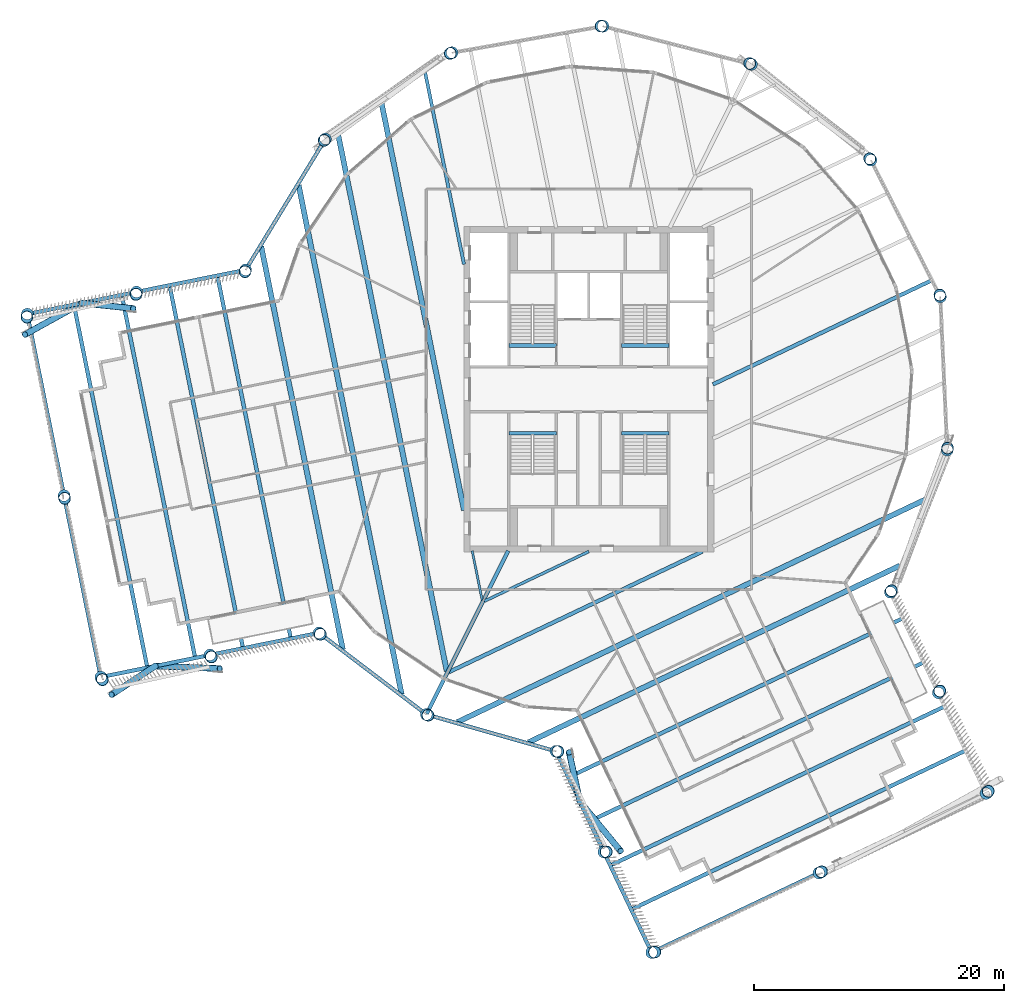
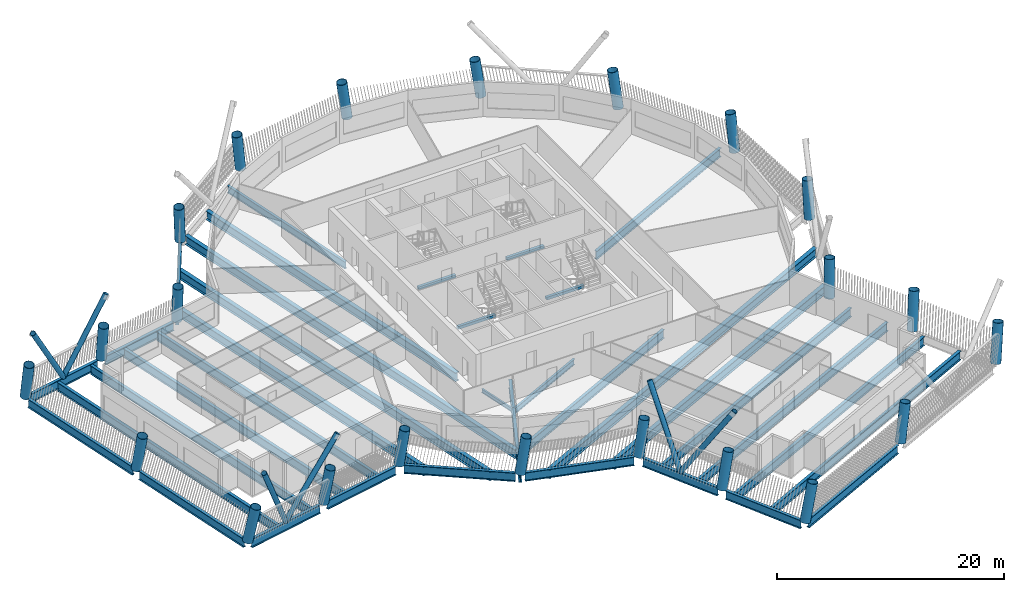
# One storey, part 1 of 21: 36 beams, 22 columns, 6 members.
"""IFC4 building model written with IfcOpenShell, lengths in metres."""

from ifc_helpers import new_model, si_unit, direction, frame, origin, origin_2d, place, context, subcontext, project, spatial, rectangle, hollow_circle, i_section, extrude, material, material_profile, profile_set, type_object, element, save


model = new_model("IFC4")

# Units and contexts
model_context = context("Model", 3, precision=1e-05, world=origin(), true_north=direction((0.0, 1.0)))
body_context = subcontext(model_context, "Body", "Model", "MODEL_VIEW")
ifc_project = project(units=[si_unit("LENGTHUNIT", "METRE"), si_unit("AREAUNIT", "SQUARE_METRE"), si_unit("VOLUMEUNIT", "CUBIC_METRE"), si_unit("PLANEANGLEUNIT", "RADIAN"), si_unit("MASSUNIT", "GRAM", prefix="KILO")], contexts=[model_context])

# Site, building, storey
site_placement = place(None, origin())
site = spatial("IfcSite", under=ifc_project, at=site_placement, CompositionType="ELEMENT")
building_placement = place(site_placement, origin())
building = spatial("IfcBuilding", under=site, at=building_placement, Name="Tarsis Ring Headquarters", CompositionType="ELEMENT")
storey_placement = place(building_placement, frame((0.0, 0.0, 331.39990234375)))
storey = spatial("IfcBuildingStorey", under=building, at=storey_placement, Name="L78", CompositionType="ELEMENT", Elevation=331.39990234375)

# Columns
ifc_material_1 = material(Name="Structural steel S355", Category="steel")
ifc_material_profile_1 = material_profile(ifc_material_1, hollow_circle(Radius=0.482666015625, WallThickness=0.0400390625, at=origin_2d()), Name="CHS 965x40")
ifc_profile_set_1 = profile_set([ifc_material_profile_1], Name="Structural steel S355")
column_type = type_object("IfcColumnType", Name="XC Exo column CHS 965x40", PredefinedType="COLUMN", material=ifc_profile_set_1)
for number, where, z_axis, x_axis, name in (
    (1, (-12.988525390625, -25.98291015625, 0.001220703125), (0.120419446653, -0.058844141973, 0.990977559697), (0.439043996986, 0.898465563453, 0.0), "Exo column XC7 F1"),
    (2, (-2.62744140625, -28.929443359375, 0.001220703125), (0.133517777698, -0.010924746106, 0.990986202205), (0.081549879153, 0.996669261696, 0.0), "Exo column XC7 AK"),
):
    element("IfcColumn", number, at=place(storey_placement, frame(where, z_axis=z_axis, x_axis=x_axis)), inside=storey, type_object=column_type, Name=name, PredefinedType="COLUMN", context=body_context, shape_type="SweptSolid", body=[
        extrude(hollow_circle(Radius=0.482666015625, WallThickness=0.0400390625, at=origin_2d()), origin(), (0.0, 0.0, 1.0), 3.93310546875),
    ])
column_1_placement = place(storey_placement, frame((1.196533203125, -36.968505859375, 0.00146484375), z_axis=(0.169528498727, 0.007037963895, 0.985500154837), x_axis=(-0.041479201713, 0.999139367569, 0.0)))
element("IfcColumn", 3, at=column_1_placement, inside=storey, type_object=column_type, Name="Exo column XC7 AI1", PredefinedType="COLUMN", context=body_context, shape_type="SweptSolid", body=[
    extrude(hollow_circle(Radius=0.482666015625, WallThickness=0.0400390625, at=origin_2d()), origin(), (0.0, 0.0, 1.0), 3.95458984375),
])
column_2_placement = place(storey_placement, frame((5.020751953125, -45.007568359375, 0.001708984375), z_axis=(0.204760699599, 0.024767461868, 0.978498660568), x_axis=(-0.120082816366, 0.992763877875, 0.0)))
element("IfcColumn", 4, at=column_2_placement, inside=storey, type_object=column_type, Name="Exo column XC7 AT1", PredefinedType="COLUMN", context=body_context, shape_type="SweptSolid", body=[
    extrude(hollow_circle(Radius=0.482666015625, WallThickness=0.0400390625, at=origin_2d()), origin(), (0.0, 0.0, 1.0), 3.982421875),
])
column_3_placement = place(storey_placement, frame((18.3857421875, -38.64990234375, 0.00146484375), z_axis=(0.175650534528, 0.085521351544, 0.980730843886), x_axis=(-0.437754355439, 0.89909461365, 0.0)))
element("IfcColumn", 5, at=column_3_placement, inside=storey, type_object=column_type, Name="Exo column XC7 AT2", PredefinedType="COLUMN", context=body_context, shape_type="SweptSolid", body=[
    extrude(hollow_circle(Radius=0.482666015625, WallThickness=0.0400390625, at=origin_2d()), origin(), (0.0, 0.0, 1.0), 3.973876953125),
])
column_4_placement = place(storey_placement, frame((31.75048828125, -32.292236328125, 0.001708984375), z_axis=(0.145783281167, 0.145967196156, 0.978489045712), x_axis=(-0.70755238978, 0.706660891599, 0.0)))
element("IfcColumn", 6, at=column_4_placement, inside=storey, type_object=column_type, Name="Exo column XC7 AT3", PredefinedType="COLUMN", context=body_context, shape_type="SweptSolid", body=[
    extrude(hollow_circle(Radius=0.482666015625, WallThickness=0.0400390625, at=origin_2d()), origin(), (0.0, 0.0, 1.0), 3.982421875),
])
column_5_placement = place(storey_placement, frame((27.92626953125, -24.253173828125, 0.00146484375), z_axis=(0.110137662208, 0.129090724034, 0.985497478602), x_axis=(-0.76074412873, 0.649051901317, 0.0)))
element("IfcColumn", 7, at=column_5_placement, inside=storey, type_object=column_type, Name="Exo column XC7 AO1", PredefinedType="COLUMN", context=body_context, shape_type="SweptSolid", body=[
    extrude(hollow_circle(Radius=0.482666015625, WallThickness=0.0400390625, at=origin_2d()), origin(), (0.0, 0.0, 1.0), 3.95458984375),
])
for number, where, z_axis, x_axis, name in (
    (8, (24.102294921875, -16.214111328125, 0.001220703125), (0.073741926687, 0.111854336608, 0.990984730271), (-0.834890461462, 0.550416131086, 0.0), "Exo column XC7 AJ"),
    (9, (28.642822265625, -4.837890625, 0.001220703125), (0.021104664469, 0.132276588184, 0.990988141885), (-0.987509938525, 0.157556724119, 0.0), "Exo column XC7 R1"),
    (10, (28.090576171875, 7.3984375, 0.001220703125), (-0.035319159409, 0.129234604374, 0.990984850546), (-0.964624691712, -0.263627017091, 0.0), "Exo column XC7 R2"),
    (11, (22.543701171875, 18.3193359375, 0.001220703125), (-0.085411459189, 0.103226203947, 0.990983972352), (-0.770457092515, -0.637491857668, 0.0), "Exo column XC7 R3"),
    (12, (12.988525390625, 25.98291015625, 0.001220703125), (-0.120419446653, 0.058844141973, 0.990977559697), (-0.439043996986, -0.898465563453, 0.0), "Exo column XC7 R4"),
    (13, (1.123779296875, 29.02685546875, 0.001220703125), (-0.133890478417, 0.003972642846, 0.990988172431), (-0.029657787255, -0.999560111076, 0.0), "Exo column XC7 R5"),
    (14, (-10.940673828125, 26.909423828125, 0.001220703125), (-0.12364806075, -0.051582097632, 0.990984583269), (0.385010121959, -0.922912350112, 0.0), "Exo column XC7 R6"),
    (15, (-21.059814453125, 20.007568359375, 0.001220703125), (-0.091370763806, -0.09795045196, 0.990987937607), (0.731240159836, -0.682120098402, 0.0), "Exo column XC7 R7"),
    (16, (-27.434326171875, 9.548095703125, 0.001220703125), (-0.042891900083, -0.126937678249, 0.99098290134), (0.947378173122, -0.320116536737, 0.0), "Exo column XC7 BJ"),
):
    element("IfcColumn", number, at=place(storey_placement, frame(where, z_axis=z_axis, x_axis=x_axis)), inside=storey, type_object=column_type, Name=name, PredefinedType="COLUMN", context=body_context, shape_type="SweptSolid", body=[
        extrude(hollow_circle(Radius=0.482666015625, WallThickness=0.0400390625, at=origin_2d()), origin(), (0.0, 0.0, 1.0), 3.93310546875),
    ])
column_6_placement = place(storey_placement, frame((-36.159912109375, 7.782470703125, 0.00146484375), z_axis=(-0.034140353128, -0.166194992082, 0.985501730539), x_axis=(0.979545727272, -0.201221689146, 0.0)))
element("IfcColumn", 17, at=column_6_placement, inside=storey, type_object=column_type, Name="Exo column XC7 BO1", PredefinedType="COLUMN", context=body_context, shape_type="SweptSolid", body=[
    extrude(hollow_circle(Radius=0.482666015625, WallThickness=0.0400390625, at=origin_2d()), origin(), (0.0, 0.0, 1.0), 3.95458984375),
])
column_7_placement = place(storey_placement, frame((-44.88525390625, 6.0166015625, 0.001708984375), z_axis=(-0.025503297558, -0.204639440505, 0.978505125793), x_axis=(0.992323544776, -0.123668842009, 0.0)))
element("IfcColumn", 18, at=column_7_placement, inside=storey, type_object=column_type, Name="Exo column XC7 BT3", PredefinedType="COLUMN", context=body_context, shape_type="SweptSolid", body=[
    extrude(hollow_circle(Radius=0.482666015625, WallThickness=0.0400390625, at=origin_2d()), origin(), (0.0, 0.0, 1.0), 3.982421875),
])
column_8_placement = place(storey_placement, frame((-41.94970703125, -8.4892578125, 0.00146484375), z_axis=(0.04048739816, -0.191132466885, 0.980728887457), x_axis=(0.978292115916, 0.207230634648, 0.0)))
element("IfcColumn", 19, at=column_8_placement, inside=storey, type_object=column_type, Name="Exo column XC7 BT2", PredefinedType="COLUMN", context=body_context, shape_type="SweptSolid", body=[
    extrude(hollow_circle(Radius=0.482666015625, WallThickness=0.0400390625, at=origin_2d()), origin(), (0.0, 0.0, 1.0), 3.973876953125),
])
column_9_placement = place(storey_placement, frame((-39.01416015625, -22.995361328125, 0.001708984375), z_axis=(0.106365746798, -0.176683620907, 0.978503564639), x_axis=(0.856731327791, 0.51576296104, 0.0)))
element("IfcColumn", 20, at=column_9_placement, inside=storey, type_object=column_type, Name="Exo column XC7 BT1", PredefinedType="COLUMN", context=body_context, shape_type="SweptSolid", body=[
    extrude(hollow_circle(Radius=0.482666015625, WallThickness=0.0400390625, at=origin_2d()), origin(), (0.0, 0.0, 1.0), 3.982421875),
])
column_10_placement = place(storey_placement, frame((-30.288818359375, -21.2294921875, 0.00146484375), z_axis=(0.098655007434, -0.138042926548, 0.985500552987), x_axis=(0.813585935102, 0.581444688861, 0.0)))
element("IfcColumn", 21, at=column_10_placement, inside=storey, type_object=column_type, Name="Exo column XC7 BI1", PredefinedType="COLUMN", context=body_context, shape_type="SweptSolid", body=[
    extrude(hollow_circle(Radius=0.482666015625, WallThickness=0.0400390625, at=origin_2d()), origin(), (0.0, 0.0, 1.0), 3.95458984375),
])
column_11_placement = place(storey_placement, frame((-21.5634765625, -19.463623046875, 0.001220703125), z_axis=(0.090686960887, -0.09869422848, 0.99097695452), x_axis=(0.736346228318, 0.676604930548, 0.0)))
element("IfcColumn", 22, at=column_11_placement, inside=storey, type_object=column_type, Name="Exo column XC7 BK", PredefinedType="COLUMN", context=body_context, shape_type="SweptSolid", body=[
    extrude(hollow_circle(Radius=0.482666015625, WallThickness=0.0400390625, at=origin_2d()), origin(), (0.0, 0.0, 1.0), 3.93310546875),
])

# Beams
ifc_material_profile_2 = material_profile(ifc_material_1, i_section(OverallWidth=0.177734375, OverallDepth=0.406494140625, WebThickness=0.0078125, FlangeThickness=0.0126953125, at=origin_2d()), Name="W16x40")
ifc_profile_set_2 = profile_set([ifc_material_profile_2], Name="Structural steel S355")
beam_type_1 = type_object("IfcBeamType", Name="FB Floor beam W16x40", PredefinedType="JOIST", material=ifc_profile_set_2)
beam_1_placement = place(storey_placement, frame((-9.326171875, -12.902099609375, -0.363037109375), z_axis=(0.198330392679, -0.980135222987, 0.0), x_axis=(0.980135222987, 0.198330392679, 0.0)))
element("IfcBeam", 23, at=beam_1_placement, inside=storey, type_object=beam_type_1, Name="Floor beam FB1", PredefinedType="JOIST", context=body_context, shape_type="SweptSolid", body=[
    extrude(i_section(OverallWidth=0.177734375, OverallDepth=0.406494140625, WebThickness=0.0078125, FlangeThickness=0.0126953125, at=origin_2d()), origin(), (0.0, 0.0, 1.0), 4.02783203125),
])
ifc_material_profile_3 = material_profile(ifc_material_1, i_section(OverallWidth=0.228271484375, OverallDepth=0.607177734375, WebThickness=0.01123046875, FlangeThickness=0.017333984375, at=origin_2d()), Name="W24x76")
ifc_profile_set_3 = profile_set([ifc_material_profile_3], Name="Structural steel S355")
beam_type_2 = type_object("IfcBeamType", Name="FB Floor beam W24x76", PredefinedType="JOIST", material=ifc_profile_set_3)
beam_2_placement = place(storey_placement, frame((-8.3603515625, -16.933349609375, -0.46337890625), z_axis=(0.903032543156, 0.429572142952, 0.0), x_axis=(-0.429572142952, 0.903032543156, 0.0)))
element("IfcBeam", 24, at=beam_2_placement, inside=storey, type_object=beam_type_2, Name="Floor beam FB4", PredefinedType="JOIST", context=body_context, shape_type="SweptSolid", body=[
    extrude(i_section(OverallWidth=0.228271484375, OverallDepth=0.607177734375, WebThickness=0.01123046875, FlangeThickness=0.017333984375, at=origin_2d()), origin(), (0.0, 0.0, 1.0), 9.25634765625),
])
ifc_material_profile_4 = material_profile(ifc_material_1, i_section(OverallWidth=0.2666015625, OverallDepth=0.7568359375, WebThickness=0.013916015625, FlangeThickness=0.019287109375, at=origin_2d()), Name="W30x108")
ifc_profile_set_4 = profile_set([ifc_material_profile_4], Name="Structural steel S355")
beam_type_3 = type_object("IfcBeamType", Name="FB Floor beam W30x108", PredefinedType="JOIST", material=ifc_profile_set_4)
beam_3_placement = place(storey_placement, frame((-13.09130859375, 25.366455078125, -0.538330078125), z_axis=(0.198336545518, -0.98013397794, 0.0), x_axis=(0.98013397794, 0.198336545518, 0.0)))
element("IfcBeam", 25, at=beam_3_placement, inside=storey, type_object=beam_type_3, Name="Floor beam FB6", PredefinedType="JOIST", context=body_context, shape_type="SweptSolid", body=[
    extrude(i_section(OverallWidth=0.2666015625, OverallDepth=0.7568359375, WebThickness=0.013916015625, FlangeThickness=0.019287109375, at=origin_2d()), origin(), (0.0, 0.0, 1.0), 15.685791015625),
])
ifc_material_profile_5 = material_profile(ifc_material_1, i_section(OverallWidth=0.3046875, OverallDepth=0.904296875, WebThickness=0.01513671875, FlangeThickness=0.02001953125, at=origin_2d()), Name="W36x135")
ifc_profile_set_5 = profile_set([ifc_material_profile_5], Name="Structural steel S355")
beam_type_4 = type_object("IfcBeamType", Name="FB Floor beam W36x135", PredefinedType="JOIST", material=ifc_profile_set_5)
beam_4_placement = place(storey_placement, frame((9.90966796875, 0.395263671875, -0.612060546875), z_axis=(0.903036445597, 0.429563939272, 0.0), x_axis=(-0.429563939272, 0.903036445597, 0.0)))
element("IfcBeam", 26, at=beam_4_placement, inside=storey, type_object=beam_type_4, Name="Floor beam FB8", PredefinedType="JOIST", context=body_context, shape_type="SweptSolid", body=[
    extrude(i_section(OverallWidth=0.3046875, OverallDepth=0.904296875, WebThickness=0.01513671875, FlangeThickness=0.02001953125, at=origin_2d()), origin(), (0.0, 0.0, 1.0), 19.332763671875),
])
ifc_material_profile_6 = material_profile(ifc_material_1, i_section(OverallWidth=0.3046875, OverallDepth=0.91943359375, WebThickness=0.017333984375, FlangeThickness=0.02783203125, at=origin_2d()), Name="W36x170")
ifc_profile_set_6 = profile_set([ifc_material_profile_6], Name="Structural steel S355")
beam_type_5 = type_object("IfcBeamType", Name="FB Floor beam W36x170", PredefinedType="JOIST", material=ifc_profile_set_6)
beam_5_placement = place(storey_placement, frame((-11.19287109375, -22.599365234375, -0.61962890625), z_axis=(0.903036355739, 0.429564128174, 0.0), x_axis=(-0.429564128174, 0.903036355739, 0.0)))
element("IfcBeam", 27, at=beam_5_placement, inside=storey, type_object=beam_type_5, Name="Floor beam FB9", PredefinedType="JOIST", context=body_context, shape_type="SweptSolid", body=[
    extrude(i_section(OverallWidth=0.3046875, OverallDepth=0.91943359375, WebThickness=0.017333984375, FlangeThickness=0.02783203125, at=origin_2d()), origin(), (0.0, 0.0, 1.0), 22.44677734375),
])
ifc_material_profile_7 = material_profile(ifc_material_1, i_section(OverallWidth=0.309814453125, OverallDepth=0.949951171875, WebThickness=0.0244140625, FlangeThickness=0.0439453125, at=origin_2d()), Name="W36x256")
ifc_profile_set_7 = profile_set([ifc_material_profile_7], Name="Structural steel S355")
beam_type_6 = type_object("IfcBeamType", Name="FB Floor beam W36x256", PredefinedType="JOIST", material=ifc_profile_set_7)
for number, where, z_axis, x_axis, name in (
    (28, (-1.588134765625, -30.98681640625, -0.635009765625), (0.903035200349, 0.429566557043, 0.0), (-0.429566557043, 0.903035200349, 0.0), "Floor beam FB11"),
    (29, (0.087158203125, -34.5087890625, -0.635009765625), (0.903035200349, 0.429566557043, 0.0), (-0.429566557043, 0.903035200349, 0.0), "Floor beam FB11"),
    (30, (1.762451171875, -38.030517578125, -0.635009765625), (0.903035200349, 0.429566557043, 0.0), (-0.429566557043, 0.903035200349, 0.0), "Floor beam FB11"),
):
    element("IfcBeam", number, at=place(storey_placement, frame(where, z_axis=z_axis, x_axis=x_axis)), inside=storey, type_object=beam_type_6, Name=name, PredefinedType="JOIST", context=body_context, shape_type="SweptSolid", body=[
        extrude(i_section(OverallWidth=0.309814453125, OverallDepth=0.949951171875, WebThickness=0.0244140625, FlangeThickness=0.0439453125, at=origin_2d()), origin(), (0.0, 0.0, 1.0), 29.490234375),
    ])
beam_6_placement = place(storey_placement, frame((3.437744140625, -41.55224609375, -0.635009765625), z_axis=(0.903038411767, 0.429559805933, 0.0), x_axis=(-0.429559805933, 0.903038411767, 0.0)))
element("IfcBeam", 31, at=beam_6_placement, inside=storey, type_object=beam_type_6, Name="Floor beam FB11", PredefinedType="JOIST", context=body_context, shape_type="SweptSolid", body=[
    extrude(i_section(OverallWidth=0.309814453125, OverallDepth=0.949951171875, WebThickness=0.0244140625, FlangeThickness=0.0439453125, at=origin_2d()), origin(), (0.0, 0.0, 1.0), 29.489990234375),
])
for number, where, z_axis, x_axis, name in (
    (32, (-29.68212890625, 9.037353515625, -0.635009765625), (0.19834132924, -0.98013300991, 0.0), (0.98013300991, 0.19834132924, 0.0), "Floor beam FB11"),
    (33, (-33.504638671875, 8.263916015625, -0.635009765625), (0.19834132924, -0.98013300991, 0.0), (0.98013300991, 0.19834132924, 0.0), "Floor beam FB11"),
):
    element("IfcBeam", number, at=place(storey_placement, frame(where, z_axis=z_axis, x_axis=x_axis)), inside=storey, type_object=beam_type_6, Name=name, PredefinedType="JOIST", context=body_context, shape_type="SweptSolid", body=[
        extrude(i_section(OverallWidth=0.309814453125, OverallDepth=0.949951171875, WebThickness=0.0244140625, FlangeThickness=0.0439453125, at=origin_2d()), origin(), (0.0, 0.0, 1.0), 29.490234375),
    ])
beam_7_placement = place(storey_placement, frame((-37.3271484375, 7.490234375, -0.635009765625), z_axis=(0.198342938642, -0.980132684227, 0.0), x_axis=(0.980132684227, 0.198342938642, 0.0)))
element("IfcBeam", 34, at=beam_7_placement, inside=storey, type_object=beam_type_6, Name="Floor beam FB11", PredefinedType="JOIST", context=body_context, shape_type="SweptSolid", body=[
    extrude(i_section(OverallWidth=0.309814453125, OverallDepth=0.949951171875, WebThickness=0.0244140625, FlangeThickness=0.0439453125, at=origin_2d()), origin(), (0.0, 0.0, 1.0), 29.489990234375),
])
beam_8_placement = place(storey_placement, frame((-41.149658203125, 6.716796875, -0.635009765625), z_axis=(0.19834132924, -0.98013300991, 0.0), x_axis=(0.98013300991, 0.19834132924, 0.0)))
element("IfcBeam", 35, at=beam_8_placement, inside=storey, type_object=beam_type_6, Name="Floor beam FB11", PredefinedType="JOIST", context=body_context, shape_type="SweptSolid", body=[
    extrude(i_section(OverallWidth=0.309814453125, OverallDepth=0.949951171875, WebThickness=0.0244140625, FlangeThickness=0.0439453125, at=origin_2d()), origin(), (0.0, 0.0, 1.0), 29.490234375),
])
beam_type_7 = type_object("IfcBeamType", Name="FB Floor beam W36x256 spine", PredefinedType="BEAM", material=ifc_profile_set_7)
beam_9_placement = place(storey_placement, frame((-6.453857421875, -12.91064453125, -0.635009765625), z_axis=(-0.44713980023, -0.89446408483, 0.0), x_axis=(0.89446408483, -0.44713980023, 0.0)))
element("IfcBeam", 36, at=beam_9_placement, inside=storey, type_object=beam_type_7, Name="Floor beam SB11", PredefinedType="BEAM", context=body_context, shape_type="SweptSolid", body=[
    extrude(i_section(OverallWidth=0.309814453125, OverallDepth=0.949951171875, WebThickness=0.0244140625, FlangeThickness=0.0439453125, at=origin_2d()), origin(), (0.0, 0.0, 1.0), 14.55712890625),
])
ifc_material_profile_8 = material_profile(ifc_material_1, i_section(OverallWidth=0.42431640625, OverallDepth=0.947509765625, WebThickness=0.02392578125, FlangeThickness=0.042724609375, at=origin_2d()), Name="W36x302")
ifc_profile_set_8 = profile_set([ifc_material_profile_8], Name="Structural steel S355")
beam_type_8 = type_object("IfcBeamType", Name="FB Floor beam W36x302", PredefinedType="JOIST", material=ifc_profile_set_8)
beam_10_placement = place(storey_placement, frame((-10.5126953125, -26.594482421875, -0.633544921875), z_axis=(0.903036394279, 0.429564047154, 0.0), x_axis=(-0.429564047154, 0.903036394279, 0.0)))
element("IfcBeam", 37, at=beam_10_placement, inside=storey, type_object=beam_type_8, Name="Floor beam FB12", PredefinedType="JOIST", context=body_context, shape_type="SweptSolid", body=[
    extrude(i_section(OverallWidth=0.42431640625, OverallDepth=0.947509765625, WebThickness=0.02392578125, FlangeThickness=0.042724609375, at=origin_2d()), origin(), (0.0, 0.0, 1.0), 41.52392578125),
])
beam_11_placement = place(storey_placement, frame((-4.83056640625, -28.21044921875, -0.633544921875), z_axis=(0.903035599771, 0.429565717378, 0.0), x_axis=(-0.429565717378, 0.903035599771, 0.0)))
element("IfcBeam", 38, at=beam_11_placement, inside=storey, type_object=beam_type_8, Name="Floor beam FB12", PredefinedType="JOIST", context=body_context, shape_type="SweptSolid", body=[
    extrude(i_section(OverallWidth=0.42431640625, OverallDepth=0.947509765625, WebThickness=0.02392578125, FlangeThickness=0.042724609375, at=origin_2d()), origin(), (0.0, 0.0, 1.0), 32.875244140625),
])
beam_12_placement = place(storey_placement, frame((-16.587890625, 22.981689453125, -0.633544921875), z_axis=(0.198343751112, -0.980132519813, 0.0), x_axis=(0.980132519813, 0.198343751112, 0.0)))
element("IfcBeam", 39, at=beam_12_placement, inside=storey, type_object=beam_type_8, Name="Floor beam FB12", PredefinedType="JOIST", context=body_context, shape_type="SweptSolid", body=[
    extrude(i_section(OverallWidth=0.42431640625, OverallDepth=0.947509765625, WebThickness=0.02392578125, FlangeThickness=0.042724609375, at=origin_2d()), origin(), (0.0, 0.0, 1.0), 33.314208984375),
])
beam_13_placement = place(storey_placement, frame((-20.084228515625, 20.596923828125, -0.633544921875), z_axis=(0.198341099553, -0.98013305639, 0.0), x_axis=(0.98013305639, 0.198341099553, 0.0)))
element("IfcBeam", 40, at=beam_13_placement, inside=storey, type_object=beam_type_8, Name="Floor beam FB12", PredefinedType="JOIST", context=body_context, shape_type="SweptSolid", body=[
    extrude(i_section(OverallWidth=0.42431640625, OverallDepth=0.947509765625, WebThickness=0.02392578125, FlangeThickness=0.042724609375, at=origin_2d()), origin(), (0.0, 0.0, 1.0), 43.986572265625),
])
beam_14_placement = place(storey_placement, frame((-23.19970703125, 16.329345703125, -0.633544921875), z_axis=(0.198339671585, -0.980133345354, 0.0), x_axis=(0.980133345354, 0.198339671585, 0.0)))
element("IfcBeam", 41, at=beam_14_placement, inside=storey, type_object=beam_type_8, Name="Floor beam FB12", PredefinedType="JOIST", context=body_context, shape_type="SweptSolid", body=[
    extrude(i_section(OverallWidth=0.42431640625, OverallDepth=0.947509765625, WebThickness=0.02392578125, FlangeThickness=0.042724609375, at=origin_2d()), origin(), (0.0, 0.0, 1.0), 41.52392578125),
])
beam_15_placement = place(storey_placement, frame((-26.18701171875, 11.427978515625, -0.633544921875), z_axis=(0.198347787246, -0.980131703035, 0.0), x_axis=(0.980131703035, 0.198347787246, 0.0)))
element("IfcBeam", 42, at=beam_15_placement, inside=storey, type_object=beam_type_8, Name="Floor beam FB12", PredefinedType="JOIST", context=body_context, shape_type="SweptSolid", body=[
    extrude(i_section(OverallWidth=0.42431640625, OverallDepth=0.947509765625, WebThickness=0.02392578125, FlangeThickness=0.042724609375, at=origin_2d()), origin(), (0.0, 0.0, 1.0), 32.875244140625),
])
ifc_material_2 = material(Name="Concrete C40/50", Category="concrete")
ifc_material_profile_9 = material_profile(ifc_material_2, rectangle(XDim=0.300048828125, YDim=0.300048828125, at=origin_2d()), Name="Stair head beam 300x300 C40/50")
ifc_profile_set_9 = profile_set([ifc_material_profile_9], Name="Concrete C40/50")
beam_type_9 = type_object("IfcBeamType", Name="Stair head beam 300x300 C40/50", PredefinedType="BEAM", material=ifc_profile_set_9)
for number, where, z_axis, x_axis, name in (
    (43, (-6.39990234375, 3.510009765625, -0.309814453125), (1.0, 0.0, 0.0), (0.0, 1.0, 0.0), "Stair head beam L78 Firefighting stair"),
    (44, (2.60009765625, 3.510009765625, -0.309814453125), (1.0, 0.0, 0.0), (0.0, 1.0, 0.0), "Stair head beam L78 Exit stair B"),
    (45, (-6.39990234375, -3.510009765625, -0.309814453125), (1.0, 0.0, 0.0), (0.0, 1.0, 0.0), "Stair head beam L78 Exit stair C"),
    (46, (2.60009765625, -3.510009765625, -0.309814453125), (1.0, 0.0, 0.0), (0.0, 1.0, 0.0), "Stair head beam L78 Exit stair D"),
):
    element("IfcBeam", number, at=place(storey_placement, frame(where, z_axis=z_axis, x_axis=x_axis)), inside=storey, type_object=beam_type_9, Name=name, PredefinedType="BEAM", context=body_context, shape_type="SweptSolid", body=[
        extrude(rectangle(XDim=0.300048828125, YDim=0.300048828125, at=origin_2d()), origin(), (0.0, 0.0, 1.0), 3.7998046875),
    ])

# Members
ifc_material_profile_10 = material_profile(ifc_material_1, hollow_circle(Radius=0.25390625, WallThickness=0.02001953125, at=origin_2d()), Name="CHS 508x20")
ifc_profile_set_10 = profile_set([ifc_material_profile_10], Name="Structural steel S355")
member_type = type_object("IfcMemberType", Name="XD X brace CHS 508x20", PredefinedType="BRACE", material=ifc_profile_set_10)
member_1_placement = place(storey_placement, frame((-0.715576171875, -32.948974609375, 0.0), z_axis=(0.348674667973, -0.423570112264, 0.83607077207), x_axis=(0.772062400345, 0.635546733115, 0.0)))
element("IfcMember", 47, at=member_1_placement, inside=storey, type_object=member_type, Name="X brace XD2", PredefinedType="BRACE", context=body_context, shape_type="SweptSolid", body=[
    extrude(hollow_circle(Radius=0.25390625, WallThickness=0.02001953125, at=origin_2d()), origin(), (0.0, 0.0, 1.0), 9.329345703125),
])
member_2_placement = place(storey_placement, frame((-0.715576171875, -32.948974609375, 0.0), z_axis=(-0.09796283183, 0.44900557881, 0.88814259766), x_axis=(-0.97701667761, -0.213162875922, 0.0)))
element("IfcMember", 48, at=member_2_placement, inside=storey, type_object=member_type, Name="X brace XD2", PredefinedType="BRACE", context=body_context, shape_type="SweptSolid", body=[
    extrude(hollow_circle(Radius=0.25390625, WallThickness=0.02001953125, at=origin_2d()), origin(), (0.0, 0.0, 1.0), 8.782470703125),
])
member_3_placement = place(storey_placement, frame((-40.5224609375, 6.89990234375, 0.0), z_axis=(-0.485502416224, -0.268389631583, 0.832018274739), x_axis=(0.483804401058, -0.875176154563, 0.0)))
element("IfcMember", 49, at=member_3_placement, inside=storey, type_object=member_type, Name="X brace XD2", PredefinedType="BRACE", context=body_context, shape_type="SweptSolid", body=[
    extrude(hollow_circle(Radius=0.25390625, WallThickness=0.02001953125, at=origin_2d()), origin(), (0.0, 0.0, 1.0), 9.374755859375),
])
member_4_placement = place(storey_placement, frame((-40.5224609375, 6.89990234375, 0.0), z_axis=(0.4650666778, -0.049273275025, 0.883903348545), x_axis=(0.105359153684, 0.9944342355, 0.0)))
element("IfcMember", 50, at=member_4_placement, inside=storey, type_object=member_type, Name="X brace XD2", PredefinedType="BRACE", context=body_context, shape_type="SweptSolid", body=[
    extrude(hollow_circle(Radius=0.25390625, WallThickness=0.02001953125, at=origin_2d()), origin(), (0.0, 0.0, 1.0), 8.824462890625),
])
member_5_placement = place(storey_placement, frame((-34.651611328125, -22.112060546875, 0.0), z_axis=(0.551106717504, -0.021670389214, 0.834153331321), x_axis=(0.039291220179, 0.999227801863, 0.0)))
element("IfcMember", 51, at=member_5_placement, inside=storey, type_object=member_type, Name="X brace XD2", PredefinedType="BRACE", context=body_context, shape_type="SweptSolid", body=[
    extrude(hollow_circle(Radius=0.25390625, WallThickness=0.02001953125, at=origin_2d()), origin(), (0.0, 0.0, 1.0), 9.350830078125),
])
member_6_placement = place(storey_placement, frame((-34.651611328125, -22.112060546875, 0.0), z_axis=(-0.395731299067, -0.2580460489, 0.881367673327), x_axis=(0.546208998886, -0.837648929765, 0.0)))
element("IfcMember", 52, at=member_6_placement, inside=storey, type_object=member_type, Name="X brace XD2", PredefinedType="BRACE", context=body_context, shape_type="SweptSolid", body=[
    extrude(hollow_circle(Radius=0.25390625, WallThickness=0.02001953125, at=origin_2d()), origin(), (0.0, 0.0, 1.0), 8.849853515625),
])

# Beams
ifc_material_profile_11 = material_profile(ifc_material_1, i_section(OverallWidth=0.309814453125, OverallDepth=0.93212890625, WebThickness=0.02099609375, FlangeThickness=0.034423828125, at=origin_2d()), Name="W36x210")
ifc_profile_set_11 = profile_set([ifc_material_profile_11], Name="Structural steel S355")
beam_type_10 = type_object("IfcBeamType", Name="XG Ring girder W36x210", PredefinedType="BEAM", material=ifc_profile_set_11)
beam_16_placement = place(storey_placement, frame((-12.57080078125, -26.101806640625, -0.466064453125), z_axis=(0.961864627006, -0.273525939016, 0.0), x_axis=(0.273525939016, 0.961864627006, 0.0)))
element("IfcBeam", 53, at=beam_16_placement, inside=storey, type_object=beam_type_10, Name="Ring girder XG3", PredefinedType="BEAM", context=body_context, shape_type="SweptSolid", body=[
    extrude(i_section(OverallWidth=0.309814453125, OverallDepth=0.93212890625, WebThickness=0.02099609375, FlangeThickness=0.034423828125, at=origin_2d()), origin(), (0.0, 0.0, 1.0), 9.903076171875),
])
for number, where, z_axis, x_axis, name in (
    (54, (-2.441162109375, -29.321533203125, -0.466064453125), (0.429561955209, -0.90303738939, 0.0), (0.90303738939, 0.429561955209, 0.0), "Ring girder XG3"),
    (55, (1.383056640625, -37.360595703125, -0.466064453125), (0.429561955209, -0.90303738939, 0.0), (0.90303738939, 0.429561955209, 0.0), "Ring girder XG3"),
):
    element("IfcBeam", number, at=place(storey_placement, frame(where, z_axis=z_axis, x_axis=x_axis)), inside=storey, type_object=beam_type_10, Name=name, PredefinedType="BEAM", context=body_context, shape_type="SweptSolid", body=[
        extrude(i_section(OverallWidth=0.309814453125, OverallDepth=0.93212890625, WebThickness=0.02099609375, FlangeThickness=0.034423828125, at=origin_2d()), origin(), (0.0, 0.0, 1.0), 8.03369140625),
    ])
beam_17_placement = place(storey_placement, frame((5.41259765625, -44.82080078125, -0.466064453125), z_axis=(0.903037954455, 0.429560767312, 0.0), x_axis=(-0.429560767312, 0.903037954455, 0.0)))
element("IfcBeam", 56, at=beam_17_placement, inside=storey, type_object=beam_type_10, Name="Ring girder XG3", PredefinedType="BEAM", context=body_context, shape_type="SweptSolid", body=[
    extrude(i_section(OverallWidth=0.309814453125, OverallDepth=0.93212890625, WebThickness=0.02099609375, FlangeThickness=0.034423828125, at=origin_2d()), origin(), (0.0, 0.0, 1.0), 13.931396484375),
])
beam_18_placement = place(storey_placement, frame((-21.28564453125, 19.63671875, -0.466064453125), z_axis=(-0.520433480565, -0.853902214722, 0.0), x_axis=(0.853902214722, -0.520433480565, 0.0)))
element("IfcBeam", 57, at=beam_18_placement, inside=storey, type_object=beam_type_10, Name="Ring girder XG3", PredefinedType="BEAM", context=body_context, shape_type="SweptSolid", body=[
    extrude(i_section(OverallWidth=0.309814453125, OverallDepth=0.93212890625, WebThickness=0.02099609375, FlangeThickness=0.034423828125, at=origin_2d()), origin(), (0.0, 0.0, 1.0), 11.380126953125),
])
for number, where, z_axis, x_axis, name in (
    (58, (-27.860107421875, 9.462158203125, -0.466064453125), (-0.980136364287, -0.198324752367, 0.0), (0.198324752367, -0.980136364287, 0.0), "Ring girder XG3"),
    (59, (-36.58544921875, 7.696533203125, -0.466064453125), (-0.98013045653, -0.198353946725, 0.0), (0.198353946725, -0.98013045653, 0.0), "Ring girder XG3"),
):
    element("IfcBeam", number, at=place(storey_placement, frame(where, z_axis=z_axis, x_axis=x_axis)), inside=storey, type_object=beam_type_10, Name=name, PredefinedType="BEAM", context=body_context, shape_type="SweptSolid", body=[
        extrude(i_section(OverallWidth=0.309814453125, OverallDepth=0.93212890625, WebThickness=0.02099609375, FlangeThickness=0.034423828125, at=origin_2d()), origin(), (0.0, 0.0, 1.0), 8.03369140625),
    ])
for number, where, z_axis, x_axis, name in (
    (60, (-44.799072265625, 5.59130859375, -0.466064453125), (0.198343273664, -0.980132616431, 0.0), (0.980132616431, 0.198343273664, 0.0), "Ring girder XG3"),
    (61, (-41.863525390625, -8.914794921875, -0.466064453125), (0.198343273664, -0.980132616431, 0.0), (0.980132616431, 0.198343273664, 0.0), "Ring girder XG3"),
):
    element("IfcBeam", number, at=place(storey_placement, frame(where, z_axis=z_axis, x_axis=x_axis)), inside=storey, type_object=beam_type_10, Name=name, PredefinedType="BEAM", context=body_context, shape_type="SweptSolid", body=[
        extrude(i_section(OverallWidth=0.309814453125, OverallDepth=0.93212890625, WebThickness=0.02099609375, FlangeThickness=0.034423828125, at=origin_2d()), origin(), (0.0, 0.0, 1.0), 13.931396484375),
    ])
beam_19_placement = place(storey_placement, frame((-38.588623046875, -22.908935546875, -0.466064453125), z_axis=(0.98013045653, 0.198353946725, 0.0), x_axis=(-0.198353946725, 0.98013045653, 0.0)))
element("IfcBeam", 62, at=beam_19_placement, inside=storey, type_object=beam_type_10, Name="Ring girder XG3", PredefinedType="BEAM", context=body_context, shape_type="SweptSolid", body=[
    extrude(i_section(OverallWidth=0.309814453125, OverallDepth=0.93212890625, WebThickness=0.02099609375, FlangeThickness=0.034423828125, at=origin_2d()), origin(), (0.0, 0.0, 1.0), 8.03369140625),
])
beam_20_placement = place(storey_placement, frame((-29.863037109375, -21.14306640625, -0.466064453125), z_axis=(0.980135168915, 0.198330659897, 0.0), x_axis=(-0.198330659897, 0.980135168915, 0.0)))
element("IfcBeam", 63, at=beam_20_placement, inside=storey, type_object=beam_type_10, Name="Ring girder XG3", PredefinedType="BEAM", context=body_context, shape_type="SweptSolid", body=[
    extrude(i_section(OverallWidth=0.309814453125, OverallDepth=0.93212890625, WebThickness=0.02099609375, FlangeThickness=0.034423828125, at=origin_2d()), origin(), (0.0, 0.0, 1.0), 8.033447265625),
])
beam_21_placement = place(storey_placement, frame((-21.2177734375, -19.7265625, -0.466064453125), z_axis=(0.796060043468, -0.605217652744, 0.0), x_axis=(0.605217652744, 0.796060043468, 0.0)))
element("IfcBeam", 64, at=beam_21_placement, inside=storey, type_object=beam_type_10, Name="Ring girder XG3", PredefinedType="BEAM", context=body_context, shape_type="SweptSolid", body=[
    extrude(i_section(OverallWidth=0.309814453125, OverallDepth=0.93212890625, WebThickness=0.02099609375, FlangeThickness=0.034423828125, at=origin_2d()), origin(), (0.0, 0.0, 1.0), 9.90283203125),
])

save(model, "model.ifc")
